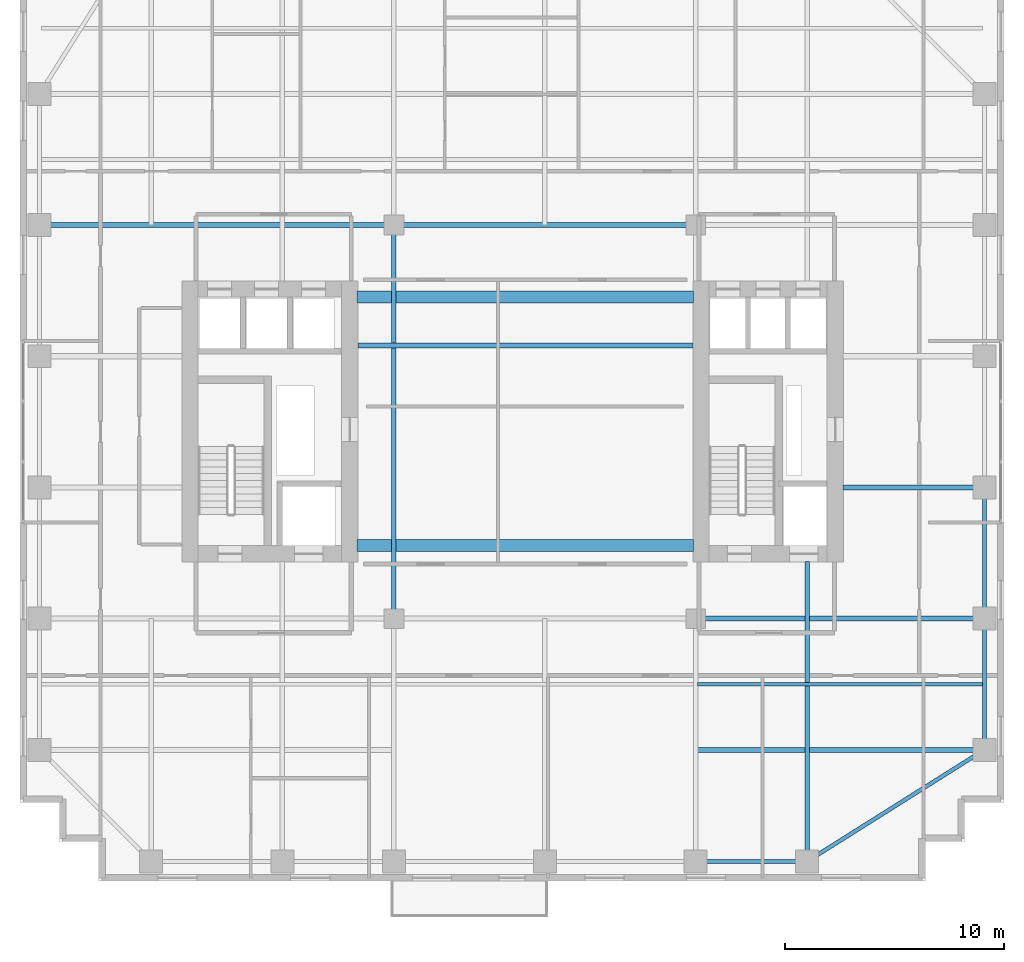
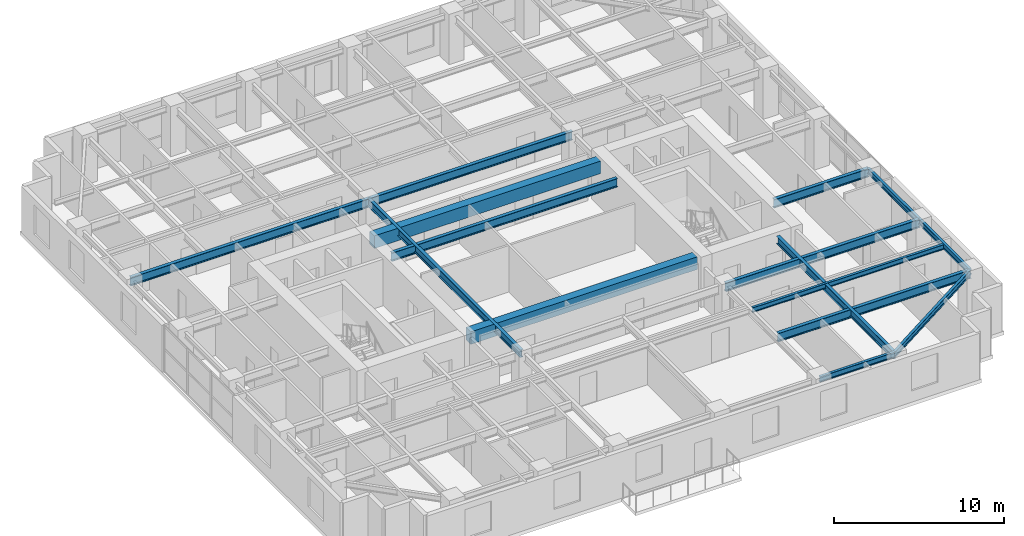
# One storey, part 3 of 14: 15 beams.
"""IFC4 building model written with IfcOpenShell, lengths in metres."""

from ifc_helpers import new_model, si_unit, direction, frame, origin, origin_2d, place, context, subcontext, project, spatial, rectangle, i_section, extrude, source, transform, mapped, material, material_profile, profile_set, type_object, element, save


model = new_model("IFC4")

# Units and contexts
model_context = context("Model", 3, precision=1e-05, world=origin(), true_north=direction((0.0, 1.0)))
body_context = subcontext(model_context, "Body", "Model", "MODEL_VIEW")
ifc_project = project(units=[si_unit("LENGTHUNIT", "METRE"), si_unit("AREAUNIT", "SQUARE_METRE"), si_unit("VOLUMEUNIT", "CUBIC_METRE"), si_unit("PLANEANGLEUNIT", "RADIAN"), si_unit("MASSUNIT", "GRAM", prefix="KILO")], contexts=[model_context])

# Site, building, storey
site_placement = place(None, origin())
site = spatial("IfcSite", under=ifc_project, at=site_placement, CompositionType="ELEMENT")
building_placement = place(site_placement, origin())
building = spatial("IfcBuilding", under=site, at=building_placement, Name="Khoralis Quay Care Tower", CompositionType="ELEMENT")
storey_placement = place(building_placement, frame((0.0, 0.0, 108.89990234375)))
storey = spatial("IfcBuildingStorey", under=building, at=storey_placement, Name="L28", CompositionType="ELEMENT", Elevation=108.89990234375)

# Beams
ifc_material_1 = material(Name="Concrete C65/80", Category="concrete")
ifc_material_profile_1 = material_profile(ifc_material_1, rectangle(XDim=0.550048828125, YDim=0.89990234375, at=origin_2d()), Name="Concrete C65/80")
ifc_profile_set_1 = profile_set([ifc_material_profile_1], Name="Concrete C65/80")
beam_type_1 = type_object("IfcBeamType", Name="CB-RC550X900", PredefinedType="LINTEL", material=ifc_profile_set_1)
shared_shape_1 = source(origin(), body_context, "Body", "SweptSolid", [
    extrude(rectangle(XDim=0.550048828125, YDim=0.89990234375, at=origin_2d()), origin(), (0.0, 0.0, 1.0), 15.380126953125),
])
for number, where, z_axis, x_axis, name in (
    (1, (15.419921875, 15.35009765625, 2.89013671875), (1.0, 0.0, 0.0), (0.0, 1.0, 0.0), "L28 South Core Coupling Lintel"),
    (2, (15.419921875, 26.699951171875, 2.89013671875), (1.0, 0.0, 0.0), (0.0, 1.0, 0.0), "L28 North Core Coupling Lintel"),
):
    element("IfcBeam", number, at=place(storey_placement, frame(where, z_axis=z_axis, x_axis=x_axis)), inside=storey, type_object=beam_type_1, Name=name, PredefinedType="LINTEL", context=body_context, shape_type="MappedRepresentation", body=[
        mapped(shared_shape_1, transform((0.0, 0.0, 0.0), scale=1.0)),
    ])
ifc_material_2 = material(Name="Steel S355", Category="steel")
ifc_material_profile_2 = material_profile(ifc_material_2, i_section(OverallWidth=0.179931640625, OverallDepth=0.39990234375, WebThickness=0.008544921875, FlangeThickness=0.013427734375, FilletRadius=0.02099609375, at=origin_2d()), Name="Steel S355")
ifc_profile_set_2 = profile_set([ifc_material_profile_2], Name="Steel S355")
beam_type_2 = type_object("IfcBeamType", Name="BM-IPE400", PredefinedType="SPANDREL", material=ifc_profile_set_2)
shared_shape_2 = source(origin(), body_context, "Body", "SweptSolid", [
    extrude(i_section(OverallWidth=0.179931640625, OverallDepth=0.39990234375, WebThickness=0.008544921875, FlangeThickness=0.013427734375, FilletRadius=0.02099609375, at=origin_2d()), origin(), (0.0, 0.0, 1.0), 6.0),
])
for number, where, z_axis, x_axis, name in (
    (3, (44.10009765625, 6.0, 3.14013671875), (0.0, 1.0, 0.0), (-1.0, 0.0, 0.0), "BM-TSP-L28-16"),
    (4, (44.10009765625, 12.0, 3.14013671875), (0.0, 1.0, 0.0), (-1.0, 0.0, 0.0), "BM-TSP-L28-17"),
):
    element("IfcBeam", number, at=place(storey_placement, frame(where, z_axis=z_axis, x_axis=x_axis)), inside=storey, type_object=beam_type_2, Name=name, PredefinedType="SPANDREL", context=body_context, shape_type="MappedRepresentation", body=[
        mapped(shared_shape_2, transform((0.0, 0.0, 0.0), scale=1.0)),
    ])
shared_shape_3 = source(origin(), body_context, "Body", "SweptSolid", [
    extrude(i_section(OverallWidth=0.179931640625, OverallDepth=0.39990234375, WebThickness=0.008544921875, FlangeThickness=0.013427734375, FilletRadius=0.02099609375, at=origin_2d()), origin(), (0.0, 0.0, 1.0), 5.10009765625),
])
beam_1_placement = place(storey_placement, frame((30.89990234375, 0.89990234375, 3.14013671875), z_axis=(1.0, 0.0, 0.0), x_axis=(0.0, 1.0, 0.0)))
element("IfcBeam", 5, at=beam_1_placement, inside=storey, type_object=beam_type_2, Name="BM-TSP-L28-05", PredefinedType="SPANDREL", context=body_context, shape_type="MappedRepresentation", body=[
    mapped(shared_shape_3, transform((0.0, 0.0, 0.0), scale=1.0)),
])
shared_shape_4 = source(origin(), body_context, "Body", "SweptSolid", [
    extrude(i_section(OverallWidth=0.179931640625, OverallDepth=0.39990234375, WebThickness=0.008544921875, FlangeThickness=0.013427734375, FilletRadius=0.02099609375, at=origin_2d()), origin(), (0.0, 0.0, 1.0), 9.572021484375),
])
beam_2_placement = place(storey_placement, frame((36.0, 0.89990234375, 3.14013671875), z_axis=(0.846231136359, 0.532815975602, 0.0), x_axis=(-0.532815975602, 0.846231136359, 0.0)))
element("IfcBeam", 6, at=beam_2_placement, inside=storey, type_object=beam_type_2, Name="BM-TCR-L28-22", PredefinedType="SPANDREL", context=body_context, shape_type="MappedRepresentation", body=[
    mapped(shared_shape_4, transform((0.0, 0.0, 0.0), scale=1.0)),
])
ifc_material_profile_3 = material_profile(ifc_material_2, i_section(OverallWidth=0.22998046875, OverallDepth=0.616943359375, WebThickness=0.01318359375, FlangeThickness=0.022216796875, FilletRadius=0.01806640625, at=origin_2d()), Name="Steel S355")
ifc_profile_set_3 = profile_set([ifc_material_profile_3], Name="Steel S355")
beam_type_3 = type_object("IfcBeamType", Name="BM-W610X140", PredefinedType="BEAM", material=ifc_profile_set_3)
shared_shape_5 = source(origin(), body_context, "Body", "SweptSolid", [
    extrude(i_section(OverallWidth=0.22998046875, OverallDepth=0.616943359375, WebThickness=0.01318359375, FlangeThickness=0.022216796875, FilletRadius=0.01806640625, at=origin_2d()), origin(), (0.0, 0.0, 1.0), 16.2001953125),
])
beam_3_placement = place(storey_placement, frame((0.89990234375, 30.0, 3.031494140625), z_axis=(1.0, 0.0, 0.0), x_axis=(0.0, 1.0, 0.0)))
element("IfcBeam", 7, at=beam_3_placement, inside=storey, type_object=beam_type_3, Name="BM-TGXW-L28-300", PredefinedType="BEAM", context=body_context, shape_type="MappedRepresentation", body=[
    mapped(shared_shape_5, transform((0.0, 0.0, 0.0), scale=1.0)),
])
shared_shape_6 = source(origin(), body_context, "Body", "SweptSolid", [
    extrude(i_section(OverallWidth=0.22998046875, OverallDepth=0.616943359375, WebThickness=0.01318359375, FlangeThickness=0.022216796875, FilletRadius=0.01806640625, at=origin_2d()), origin(), (0.0, 0.0, 1.0), 13.106201171875),
])
beam_4_placement = place(storey_placement, frame((30.993896484375, 6.0, 3.031494140625), z_axis=(1.0, 0.0, 0.0), x_axis=(0.0, 1.0, 0.0)))
element("IfcBeam", 8, at=beam_4_placement, inside=storey, type_object=beam_type_3, Name="BM-TGXE-L28-60", PredefinedType="BEAM", context=body_context, shape_type="MappedRepresentation", body=[
    mapped(shared_shape_6, transform((0.0, 0.0, 0.0), scale=1.0)),
])
shared_shape_7 = source(origin(), body_context, "Body", "SweptSolid", [
    extrude(i_section(OverallWidth=0.22998046875, OverallDepth=0.616943359375, WebThickness=0.01318359375, FlangeThickness=0.022216796875, FilletRadius=0.01806640625, at=origin_2d()), origin(), (0.0, 0.0, 1.0), 13.2001953125),
])
beam_5_placement = place(storey_placement, frame((30.89990234375, 12.0, 3.031494140625), z_axis=(1.0, 0.0, 0.0), x_axis=(0.0, 1.0, 0.0)))
element("IfcBeam", 9, at=beam_5_placement, inside=storey, type_object=beam_type_3, Name="BM-TGXE-L28-120", PredefinedType="BEAM", context=body_context, shape_type="MappedRepresentation", body=[
    mapped(shared_shape_7, transform((0.0, 0.0, 0.0), scale=1.0)),
])
shared_shape_8 = source(origin(), body_context, "Body", "SweptSolid", [
    extrude(i_section(OverallWidth=0.22998046875, OverallDepth=0.616943359375, WebThickness=0.01318359375, FlangeThickness=0.022216796875, FilletRadius=0.01806640625, at=origin_2d()), origin(), (0.0, 0.0, 1.0), 6.4521484375),
])
beam_6_placement = place(storey_placement, frame((37.64794921875, 18.0, 3.031494140625), z_axis=(1.0, 0.0, 0.0), x_axis=(0.0, 1.0, 0.0)))
element("IfcBeam", 10, at=beam_6_placement, inside=storey, type_object=beam_type_3, Name="BM-TGXE-L28-180", PredefinedType="BEAM", context=body_context, shape_type="MappedRepresentation", body=[
    mapped(shared_shape_8, transform((0.0, 0.0, 0.0), scale=1.0)),
])
shared_shape_9 = source(origin(), body_context, "Body", "SweptSolid", [
    extrude(i_section(OverallWidth=0.22998046875, OverallDepth=0.616943359375, WebThickness=0.01318359375, FlangeThickness=0.022216796875, FilletRadius=0.01806640625, at=origin_2d()), origin(), (0.0, 0.0, 1.0), 13.7998046875),
])
beam_7_placement = place(storey_placement, frame((17.10009765625, 30.0, 3.031494140625), z_axis=(1.0, 0.0, 0.0), x_axis=(0.0, 1.0, 0.0)))
element("IfcBeam", 11, at=beam_7_placement, inside=storey, type_object=beam_type_3, Name="BM-TGCC-L28-300", PredefinedType="BEAM", context=body_context, shape_type="MappedRepresentation", body=[
    mapped(shared_shape_9, transform((0.0, 0.0, 0.0), scale=1.0)),
])
shared_shape_10 = source(origin(), body_context, "Body", "SweptSolid", [
    extrude(i_section(OverallWidth=0.22998046875, OverallDepth=0.616943359375, WebThickness=0.01318359375, FlangeThickness=0.022216796875, FilletRadius=0.01806640625, at=origin_2d()), origin(), (0.0, 0.0, 1.0), 15.323974609375),
])
beam_8_placement = place(storey_placement, frame((15.447998046875, 24.5, 3.031494140625), z_axis=(1.0, 0.0, 0.0), x_axis=(0.0, 1.0, 0.0)))
element("IfcBeam", 12, at=beam_8_placement, inside=storey, type_object=beam_type_3, Name="BM-TGCC-L28-245", PredefinedType="BEAM", context=body_context, shape_type="MappedRepresentation", body=[
    mapped(shared_shape_10, transform((0.0, 0.0, 0.0), scale=1.0)),
])
ifc_material_profile_4 = material_profile(ifc_material_2, i_section(OverallWidth=0.2119140625, OverallDepth=0.5439453125, WebThickness=0.01318359375, FlangeThickness=0.021240234375, FilletRadius=0.01611328125, at=origin_2d()), Name="Steel S355")
ifc_profile_set_4 = profile_set([ifc_material_profile_4], Name="Steel S355")
beam_type_4 = type_object("IfcBeamType", Name="BM-W530X123", PredefinedType="BEAM", material=ifc_profile_set_4)
shared_shape_11 = source(origin(), body_context, "Body", "SweptSolid", [
    extrude(i_section(OverallWidth=0.2119140625, OverallDepth=0.5439453125, WebThickness=0.01318359375, FlangeThickness=0.021240234375, FilletRadius=0.01611328125, at=origin_2d()), origin(), (0.0, 0.0, 1.0), 13.7021484375),
])
beam_9_placement = place(storey_placement, frame((36.0, 0.89990234375, 3.068115234375), z_axis=(0.0, 1.0, 0.0), x_axis=(-1.0, 0.0, 0.0)))
element("IfcBeam", 13, at=beam_9_placement, inside=storey, type_object=beam_type_4, Name="BM-TGYS-L28-360", PredefinedType="BEAM", context=body_context, shape_type="MappedRepresentation", body=[
    mapped(shared_shape_11, transform((0.0, 0.0, 0.0), scale=1.0)),
])
shared_shape_12 = source(origin(), body_context, "Body", "SweptSolid", [
    extrude(i_section(OverallWidth=0.2119140625, OverallDepth=0.5439453125, WebThickness=0.01318359375, FlangeThickness=0.021240234375, FilletRadius=0.01611328125, at=origin_2d()), origin(), (0.0, 0.0, 1.0), 18.0),
])
beam_10_placement = place(storey_placement, frame((17.10009765625, 12.0, 3.068115234375), z_axis=(0.0, 1.0, 0.0), x_axis=(-1.0, 0.0, 0.0)))
element("IfcBeam", 14, at=beam_10_placement, inside=storey, type_object=beam_type_4, Name="BM-TGSW-L28", PredefinedType="BEAM", context=body_context, shape_type="MappedRepresentation", body=[
    mapped(shared_shape_12, transform((0.0, 0.0, 0.0), scale=1.0)),
])
ifc_material_profile_5 = material_profile(ifc_material_2, i_section(OverallWidth=0.1708984375, OverallDepth=0.35498046875, WebThickness=0.007080078125, FlangeThickness=0.01171875, FilletRadius=0.012939453125, at=origin_2d()), Name="Steel S355")
ifc_profile_set_5 = profile_set([ifc_material_profile_5], Name="Steel S355")
beam_type_5 = type_object("IfcBeamType", Name="BM-W360X51", PredefinedType="JOIST", material=ifc_profile_set_5)
shared_shape_13 = source(origin(), body_context, "Body", "SweptSolid", [
    extrude(i_section(OverallWidth=0.1708984375, OverallDepth=0.35498046875, WebThickness=0.007080078125, FlangeThickness=0.01171875, FilletRadius=0.012939453125, at=origin_2d()), origin(), (0.0, 0.0, 1.0), 13.030029296875),
])
beam_11_placement = place(storey_placement, frame((30.993896484375, 9.0, 3.16259765625), z_axis=(1.0, 0.0, 0.0), x_axis=(0.0, 1.0, 0.0)))
element("IfcBeam", 15, at=beam_11_placement, inside=storey, type_object=beam_type_5, Name="BM-TJS-L28-26", PredefinedType="JOIST", context=body_context, shape_type="MappedRepresentation", body=[
    mapped(shared_shape_13, transform((0.0, 0.0, 0.0), scale=1.0)),
])

save(model, "model.ifc")
